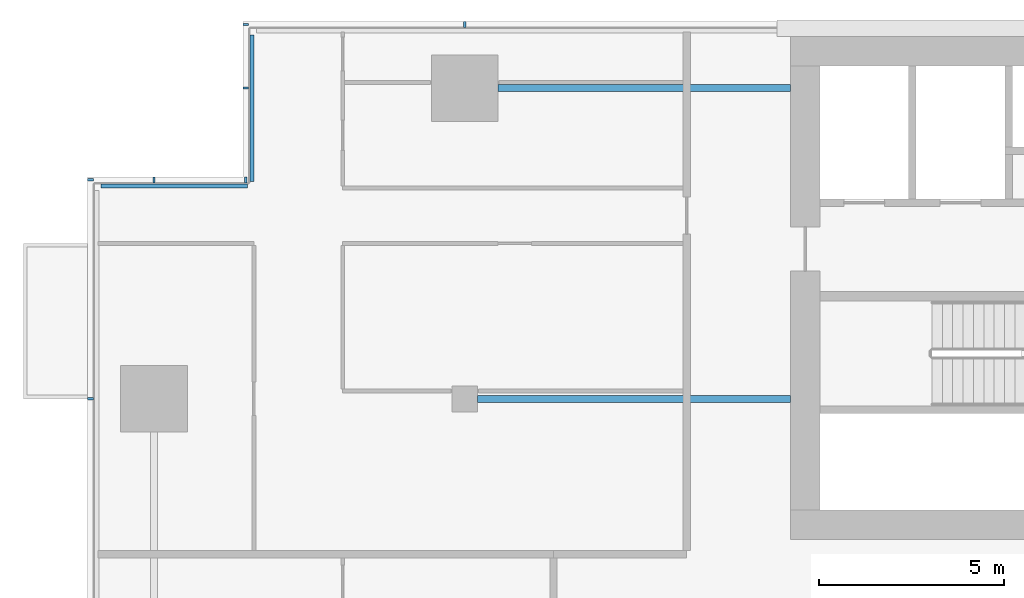
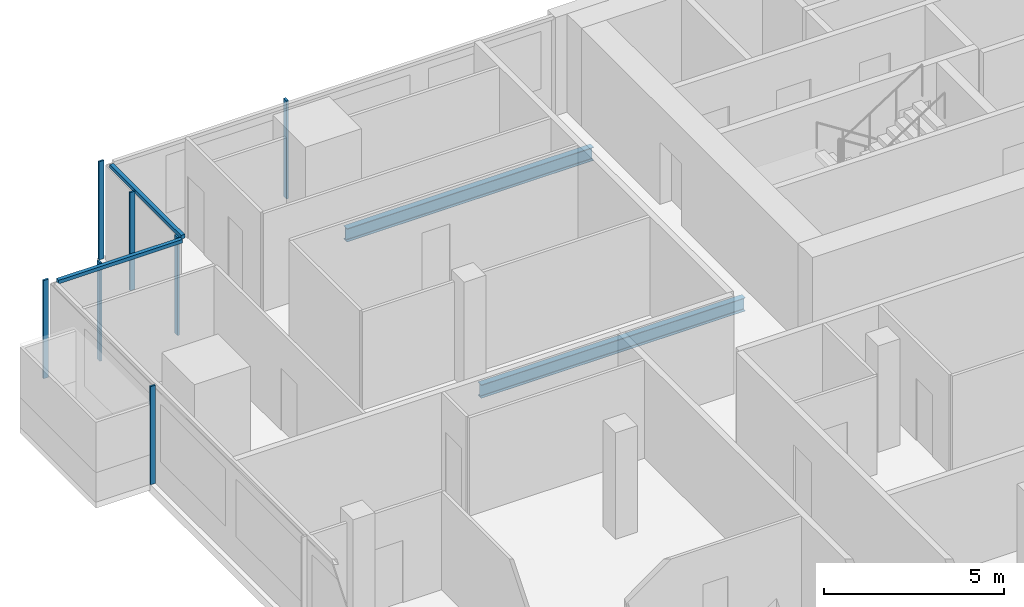
# One storey, part 8 of 30: 9 members, 2 beams, 4 elements without a shape of their own.
"""IFC4 building model written with IfcOpenShell, lengths in metres."""

from ifc_helpers import new_model, si_unit, direction, frame, origin, origin_2d, place, context, subcontext, project, spatial, rectangle, i_section, extrude, material, material_profile, profile_set, type_object, element, aggregate, save


model = new_model("IFC4")

# Units and contexts
model_context = context("Model", 3, precision=1e-05, world=origin(), true_north=direction((0.0, 1.0)))
body_context = subcontext(model_context, "Body", "Model", "MODEL_VIEW")
ifc_project = project(units=[si_unit("LENGTHUNIT", "METRE"), si_unit("AREAUNIT", "SQUARE_METRE"), si_unit("VOLUMEUNIT", "CUBIC_METRE"), si_unit("PLANEANGLEUNIT", "RADIAN"), si_unit("MASSUNIT", "GRAM", prefix="KILO")], contexts=[model_context])

# Site, building, storey
site_placement = place(None, origin())
site = spatial("IfcSite", under=ifc_project, at=site_placement, CompositionType="ELEMENT")
building_placement = place(site_placement, origin())
building = spatial("IfcBuilding", under=site, at=building_placement, Name="Saffron Gate Tower", CompositionType="ELEMENT")
storey_placement = place(building_placement, frame((0.0, 0.0, 165.449951171875)))
storey = spatial("IfcBuildingStorey", under=building, at=storey_placement, Name="L40", CompositionType="ELEMENT", Elevation=165.449951171875)

# Beams
ifc_material_1 = material(Name="Structural steel S355", Category="steel")
ifc_material_profile_1 = material_profile(ifc_material_1, i_section(OverallWidth=0.18994140625, OverallDepth=0.449951171875, WebThickness=0.009521484375, FlangeThickness=0.0146484375, FilletRadius=0.02099609375, at=origin_2d()))
ifc_profile_set_1 = profile_set([ifc_material_profile_1], Name="Structural steel S355")
beam_type = type_object("IfcBeamType", Name="B6 IPE 450", PredefinedType="BEAM", material=ifc_profile_set_1)
beam_1_placement = place(storey_placement, frame((58.550048828125, 65.39990234375, -0.5048828125), z_axis=(1.0, 0.0, 0.0), x_axis=(0.0, 1.0, 0.0)))
element("IfcBeam", 1, at=beam_1_placement, inside=storey, type_object=beam_type, Name="B6 CORE TIE BEAM", PredefinedType="BEAM", context=body_context, shape_type="SweptSolid", body=[
    extrude(i_section(OverallWidth=0.18994140625, OverallDepth=0.449951171875, WebThickness=0.009521484375, FlangeThickness=0.0146484375, FilletRadius=0.02099609375, at=origin_2d()), origin(), (0.0, 0.0, 1.0), 8.449951171875),
])
beam_2_placement = place(storey_placement, frame((59.10009765625, 73.800048828125, -0.5048828125), z_axis=(1.0, 0.0, 0.0), x_axis=(0.0, 1.0, 0.0)))
element("IfcBeam", 2, at=beam_2_placement, inside=storey, type_object=beam_type, Name="B6 CORE TIE BEAM", PredefinedType="BEAM", context=body_context, shape_type="SweptSolid", body=[
    extrude(i_section(OverallWidth=0.18994140625, OverallDepth=0.449951171875, WebThickness=0.009521484375, FlangeThickness=0.0146484375, FilletRadius=0.02099609375, at=origin_2d()), origin(), (0.0, 0.0, 1.0), 7.89990234375),
])

# Curtain wall, members
ifc_material_2 = material(Name="Aluminium, bronze anodised", Category="aluminium")
curtain_wall_type_1 = type_object("IfcCurtainWallType", Name="CWS2 curtain wall side facades", PredefinedType="NOTDEFINED", material=ifc_material_2)
curtain_wall_1_placement = place(storey_placement, origin())
curtain_wall_1 = element("IfcCurtainWall", 3, at=curtain_wall_1_placement, inside=storey, type_object=curtain_wall_type_1, Name="CWS2 run 10", PredefinedType="NOTDEFINED")
ifc_material_profile_2 = material_profile(ifc_material_2, rectangle(XDim=0.159912109375, YDim=0.06005859375, at=origin_2d()))
ifc_profile_set_2 = profile_set([ifc_material_profile_2], Name="Aluminium, bronze anodised")
member_type_1 = type_object("IfcMemberType", Name="CWS2 mullion 60x160", PredefinedType="MULLION", material=ifc_profile_set_2)
member_1_placement = place(storey_placement, frame((48.080078125, 71.320068359375, 0.0), z_axis=(0.0, 0.0, 1.0), x_axis=(1.0, 0.0, 0.0)))
member_1 = element("IfcMember", 4, at=member_1_placement, type_object=member_type_1, Name="CWS2 mullion 1", PredefinedType="MULLION", context=body_context, shape_type="SweptSolid", body=[
    extrude(rectangle(XDim=0.159912109375, YDim=0.06005859375, at=origin_2d()), origin(), (0.0, 0.0, 1.0), 3.320068359375),
])
member_2_placement = place(storey_placement, frame((48.080078125, 65.39990234375, 0.0), z_axis=(0.0, 0.0, 1.0), x_axis=(1.0, 0.0, 0.0)))
member_2 = element("IfcMember", 5, at=member_2_placement, type_object=member_type_1, Name="CWS2 mullion 2", PredefinedType="MULLION", context=body_context, shape_type="SweptSolid", body=[
    extrude(rectangle(XDim=0.159912109375, YDim=0.06005859375, at=origin_2d()), origin(), (0.0, 0.0, 1.0), 3.320068359375),
])
aggregate(curtain_wall_1, [member_1, member_2])

# Curtain wall, member
curtain_wall_type_2 = type_object("IfcCurtainWallType", Name="CWS3 curtain wall rear facade", PredefinedType="NOTDEFINED", material=ifc_material_2)
curtain_wall_2_placement = place(storey_placement, origin())
curtain_wall_2 = element("IfcCurtainWall", 6, at=curtain_wall_2_placement, inside=storey, type_object=curtain_wall_type_2, Name="CWS3 run 7", PredefinedType="NOTDEFINED")
ifc_material_profile_3 = material_profile(ifc_material_2, rectangle(XDim=0.159912109375, YDim=0.070068359375, at=origin_2d()))
ifc_profile_set_3 = profile_set([ifc_material_profile_3], Name="Aluminium, bronze anodised")
member_type_2 = type_object("IfcMemberType", Name="CWS3 mullion 70x160", PredefinedType="MULLION", material=ifc_profile_set_3)
member_3_placement = place(storey_placement, frame((58.199951171875, 75.52001953125, 0.0), z_axis=(0.0, 0.0, 1.0), x_axis=(0.0, -1.0, 0.0)))
member_3 = element("IfcMember", 7, at=member_3_placement, type_object=member_type_2, Name="CWS3 mullion 9", PredefinedType="MULLION", context=body_context, shape_type="SweptSolid", body=[
    extrude(rectangle(XDim=0.159912109375, YDim=0.070068359375, at=origin_2d()), origin(), (0.0, 0.0, 1.0), 3.320068359375),
])
aggregate(curtain_wall_2, [member_3])

curtain_wall_type_3 = type_object("IfcCurtainWallType", Name="CWS4 curtain wall corner returns", PredefinedType="NOTDEFINED", material=ifc_material_2)
curtain_wall_3_placement = place(storey_placement, origin())
curtain_wall_3 = element("IfcCurtainWall", 8, at=curtain_wall_3_placement, inside=storey, type_object=curtain_wall_type_3, Name="CWS4 run 8", PredefinedType="NOTDEFINED")
ifc_material_profile_4 = material_profile(ifc_material_2, rectangle(XDim=0.1201171875, YDim=0.1201171875, at=origin_2d()))
ifc_profile_set_4 = profile_set([ifc_material_profile_4], Name="Aluminium, bronze anodised")
member_type_3 = type_object("IfcMemberType", Name="CWS4 head transom", PredefinedType="USERDEFINED", material=ifc_profile_set_4)
member_4_placement = place(storey_placement, frame((52.447998046875, 75.23193359375, 3.260009765625), z_axis=(0.0, -1.0, 0.0), x_axis=(1.0, 0.0, 0.0)))
member_4 = element("IfcMember", 9, at=member_4_placement, type_object=member_type_3, Name="CWS4 head transom", ObjectType="TRANSOM", PredefinedType="USERDEFINED", context=body_context, shape_type="SweptSolid", body=[
    extrude(rectangle(XDim=0.1201171875, YDim=0.1201171875, at=origin_2d()), origin(), (0.0, 0.0, 1.0), 3.9599609375),
])

curtain_wall_4_placement = place(storey_placement, origin())
curtain_wall_4 = element("IfcCurtainWall", 10, at=curtain_wall_4_placement, inside=storey, type_object=curtain_wall_type_3, Name="CWS4 run 9", PredefinedType="NOTDEFINED")
member_5_placement = place(storey_placement, frame((52.327880859375, 71.152099609375, 3.260009765625), z_axis=(-1.0, 0.0, 0.0), x_axis=(0.0, -1.0, 0.0)))
member_5 = element("IfcMember", 11, at=member_5_placement, type_object=member_type_3, Name="CWS4 head transom", ObjectType="TRANSOM", PredefinedType="USERDEFINED", context=body_context, shape_type="SweptSolid", body=[
    extrude(rectangle(XDim=0.1201171875, YDim=0.1201171875, at=origin_2d()), origin(), (0.0, 0.0, 1.0), 3.9599609375),
])

# Member
ifc_material_profile_5 = material_profile(ifc_material_2, rectangle(XDim=0.159912109375, YDim=0.06005859375, at=origin_2d()))
ifc_profile_set_5 = profile_set([ifc_material_profile_5], Name="Aluminium, bronze anodised")
member_type_4 = type_object("IfcMemberType", Name="CWS4 mullion 60x160", PredefinedType="MULLION", material=ifc_profile_set_5)
member_6_placement = place(storey_placement, frame((52.280029296875, 75.52001953125, 0.0), z_axis=(0.0, 0.0, 1.0), x_axis=(1.0, 0.0, 0.0)))
member_6 = element("IfcMember", 12, at=member_6_placement, type_object=member_type_4, Name="CWS4 mullion 1", PredefinedType="MULLION", context=body_context, shape_type="SweptSolid", body=[
    extrude(rectangle(XDim=0.159912109375, YDim=0.06005859375, at=origin_2d()), origin(), (0.0, 0.0, 1.0), 3.320068359375),
])

member_7_placement = place(storey_placement, frame((52.280029296875, 73.800048828125, 0.0), z_axis=(0.0, 0.0, 1.0), x_axis=(1.0, 0.0, 0.0)))
member_7 = element("IfcMember", 13, at=member_7_placement, type_object=member_type_4, Name="CWS4 mullion 2", PredefinedType="MULLION", context=body_context, shape_type="SweptSolid", body=[
    extrude(rectangle(XDim=0.159912109375, YDim=0.06005859375, at=origin_2d()), origin(), (0.0, 0.0, 1.0), 3.320068359375),
])

aggregate(curtain_wall_3, [member_6, member_7, member_4])

member_8_placement = place(storey_placement, frame((52.280029296875, 71.320068359375, 0.0), z_axis=(0.0, 0.0, 1.0), x_axis=(0.0, -1.0, 0.0)))
member_8 = element("IfcMember", 14, at=member_8_placement, type_object=member_type_4, Name="CWS4 mullion 1", PredefinedType="MULLION", context=body_context, shape_type="SweptSolid", body=[
    extrude(rectangle(XDim=0.159912109375, YDim=0.06005859375, at=origin_2d()), origin(), (0.0, 0.0, 1.0), 3.320068359375),
])

member_9_placement = place(storey_placement, frame((49.800048828125, 71.320068359375, 0.0), z_axis=(0.0, 0.0, 1.0), x_axis=(0.0, -1.0, 0.0)))
member_9 = element("IfcMember", 15, at=member_9_placement, type_object=member_type_4, Name="CWS4 mullion 2", PredefinedType="MULLION", context=body_context, shape_type="SweptSolid", body=[
    extrude(rectangle(XDim=0.159912109375, YDim=0.06005859375, at=origin_2d()), origin(), (0.0, 0.0, 1.0), 3.320068359375),
])

aggregate(curtain_wall_4, [member_8, member_9, member_5])

save(model, "model.ifc")
